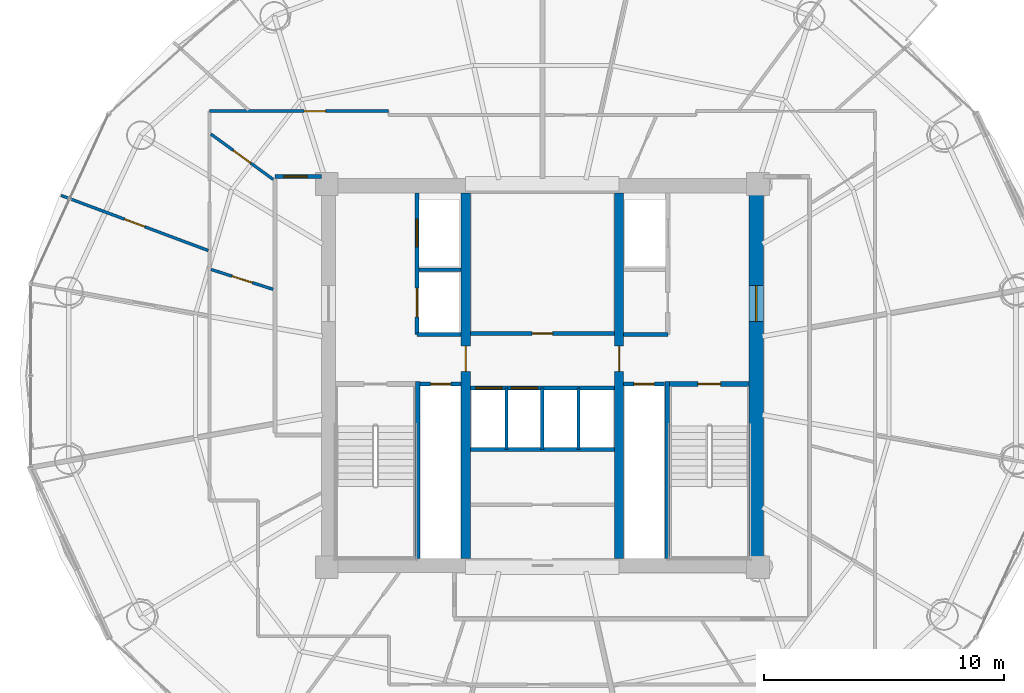
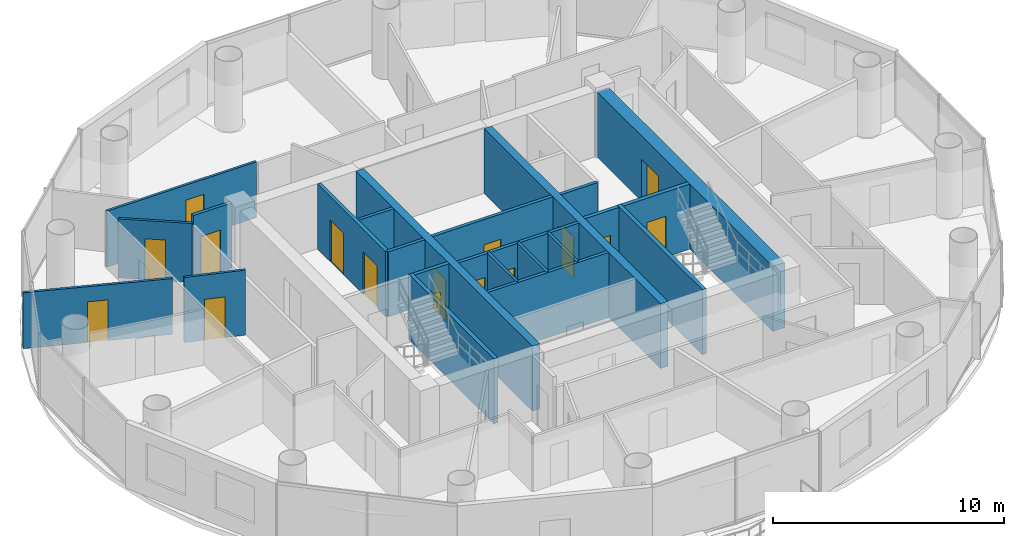
# One storey, part 21 of 27: 23 walls, 16 doors, 16 openings.
"""IFC4 building model written with IfcOpenShell, lengths in metres."""

from ifc_helpers import new_model, si_unit, direction, frame, frame_2d, origin, place, context, subcontext, project, spatial, rectangle, extrude, source, transform, mapped, material, layer, layer_set, type_object, element, fill, save


model = new_model("IFC4")

# Units and contexts
model_context = context("Model", 3, precision=1e-05, world=origin(), true_north=direction((-0.2419218956, 0.970295726276)))
body_context = subcontext(model_context, "Body", "Model", "MODEL_VIEW")
ifc_project = project(units=[si_unit("LENGTHUNIT", "METRE"), si_unit("AREAUNIT", "SQUARE_METRE"), si_unit("VOLUMEUNIT", "CUBIC_METRE"), si_unit("PLANEANGLEUNIT", "RADIAN"), si_unit("MASSUNIT", "GRAM", prefix="KILO")], contexts=[model_context])

# Site, building, storey
site_placement = place(None, origin())
site = spatial("IfcSite", under=ifc_project, at=site_placement, CompositionType="ELEMENT")
building_placement = place(site_placement, origin())
building = spatial("IfcBuilding", under=site, at=building_placement, Name="Cobrevalo Terracotta Tower", CompositionType="ELEMENT")
storey_placement = place(building_placement, frame((0.0, 0.0, 191.199951171875)))
storey = spatial("IfcBuildingStorey", under=building, at=storey_placement, Name="L50", CompositionType="ELEMENT", Elevation=191.199951171875)

# Wall, opening, door
ifc_material_1 = material(Name="Concrete C55", Category="concrete")
ifc_layer_1 = layer(ifc_material_1, 0.60009765625)
ifc_layer_set_1 = layer_set([ifc_layer_1], Name="Concrete C55")
wall_type_1 = type_object("IfcWallType", Name="Core shear wall 600 mm Concrete C55", PredefinedType="SHEAR", material=ifc_layer_set_1)
wall_1_placement = place(storey_placement, frame((46.925048828125, 19.175048828125, 0.0), z_axis=(0.0, 0.0, 1.0), x_axis=(0.0, 1.0, 0.0)))
wall_1 = element("IfcWall", 1, at=wall_1_placement, inside=storey, type_object=wall_type_1, Name="L50 east core shear wall", PredefinedType="SHEAR", context=body_context, shape_type="SweptSolid", body=[
    extrude(rectangle(XDim=15.25, YDim=0.60009765625, at=frame_2d((7.625, 0.0))), origin(), (0.0, 0.0, 1.0), 3.43505859375),
])
opening_1_placement = place(wall_1_placement, frame((9.875, 0.0, 0.0)))
opening_1 = element("IfcOpeningElement", 2, at=opening_1_placement, cuts=wall_1, Name="Opening ID-14", PredefinedType="OPENING", context=body_context, shape_type="SweptSolid", body=[
    extrude(rectangle(XDim=1.5, YDim=2.199951171875, at=frame_2d((0.75, 1.10009765625))), frame((0.0, 0.31005859375, 0.0), z_axis=(0.0, -1.0, 0.0), x_axis=(1.0, 0.0, 0.0)), (0.0, 0.0, 1.0), 0.6201171875),
])
ifc_material_2 = material(Name="Galvanized fire-rated steel", Category="steel")
door_type_1 = type_object("IfcDoorType", Name="Core cross-lobby double fire door 1500x2200 EI 90", OperationType="NOTDEFINED", PredefinedType="DOOR", material=ifc_material_2)
shared_shape_1 = source(origin(), body_context, "Body", "SweptSolid", [
    extrude(rectangle(XDim=1.5, YDim=2.199951171875, at=frame_2d((0.75, 1.10009765625))), frame((0.0, 0.02490234375, 0.0), z_axis=(0.0, -1.0, 0.0), x_axis=(1.0, 0.0, 0.0)), (0.0, 0.0, 1.0), 0.050048828125),
])
door_1_placement = place(opening_1_placement, frame((1.5, 0.0, 0.0), z_axis=(0.0, 0.0, 1.0), x_axis=(-1.0, 0.0, 0.0)))
door_1 = element("IfcDoor", 3, at=door_1_placement, inside=storey, type_object=door_type_1, Name="L50 east firefighting lobby entrance door", OperationType="DOUBLE_DOOR_SINGLE_SWING", OverallHeight=2.199951171875, OverallWidth=1.5, PredefinedType="DOOR", context=body_context, shape_type="MappedRepresentation", body=[
    mapped(shared_shape_1, transform((0.0, 0.0, 0.0), scale=1.0)),
])
fill(opening_1, door_1)

# Walls
ifc_material_3 = material(Name="Gypsum board on steel stud", Category="steel")
ifc_layer_2 = layer(ifc_material_3, 0.159912109375)
ifc_layer_set_2 = layer_set([ifc_layer_2], Name="Gypsum board on steel stud")
wall_type_2 = type_object("IfcWallType", Name="Fire-rated corridor acoustic partition wall 160 mm", PredefinedType="PARTITIONING", material=ifc_layer_set_2)
wall_2_placement = place(storey_placement, frame((32.860107421875, 31.219970703125, 0.0), z_axis=(0.0, 0.0, 1.0), x_axis=(1.0, 0.0, 0.0)))
element("IfcWall", 4, at=wall_2_placement, inside=storey, type_object=wall_type_2, Name="L50 interior partition IW-L50-FF1-M", PredefinedType="PARTITIONING", context=body_context, shape_type="SweptSolid", body=[
    extrude(rectangle(XDim=1.75, YDim=0.159912109375, at=frame_2d((0.875, 0.0))), origin(), (0.0, 0.0, 1.0), 3.43505859375),
])
for number, where, z_axis, x_axis, name in (
    (5, (32.77001953125, 28.52001953125, 0.0), (0.0, 0.0, 1.0), (1.0, 0.0, 0.0), "L50 interior partition IW-L50-FF1-S"),
    (6, (41.389892578125, 28.52001953125, 0.0), (0.0, 0.0, 1.0), (1.0, 0.0, 0.0), "L50 interior partition IW-L50-FF2-S"),
):
    element("IfcWall", number, at=place(storey_placement, frame(where, z_axis=z_axis, x_axis=x_axis)), inside=storey, type_object=wall_type_2, Name=name, PredefinedType="PARTITIONING", context=body_context, shape_type="SweptSolid", body=[
        extrude(rectangle(XDim=1.840087890625, YDim=0.159912109375, at=frame_2d((0.919921875, 0.0))), origin(), (0.0, 0.0, 1.0), 3.43505859375),
    ])

# Wall, opening, door
wall_3_placement = place(storey_placement, frame((34.989990234375, 28.56005859375, 0.0), z_axis=(0.0, 0.0, 1.0), x_axis=(1.0, 0.0, 0.0)))
wall_3 = element("IfcWall", 7, at=wall_3_placement, inside=storey, type_object=wall_type_2, Name="L50 interior partition IW-L50-LB-S", PredefinedType="PARTITIONING", context=body_context, shape_type="SweptSolid", body=[
    extrude(rectangle(XDim=6.02001953125, YDim=0.159912109375, at=frame_2d((3.010009765625, 0.0))), origin(), (0.0, 0.0, 1.0), 3.43505859375),
])
opening_2_placement = place(wall_3_placement, frame((2.5849609375, 0.0, 0.0)))
opening_2 = element("IfcOpeningElement", 8, at=opening_2_placement, cuts=wall_3, Name="Opening ID-22", PredefinedType="OPENING", context=body_context, shape_type="SweptSolid", body=[
    extrude(rectangle(XDim=0.85009765625, YDim=2.10009765625, at=frame_2d((0.425048828125, 1.050048828125))), frame((0.0, 0.08984375, 0.0), z_axis=(0.0, -1.0, 0.0), x_axis=(1.0, 0.0, 0.0)), (0.0, 0.0, 1.0), 0.179931640625),
])
ifc_material_4 = material(Name="Powder-coated steel", Category="steel")
door_type_2 = type_object("IfcDoorType", Name="Riser shaft & meter closet fire access door 850x2100 EI 60", OperationType="NOTDEFINED", PredefinedType="DOOR", material=ifc_material_4)
shared_shape_2 = source(origin(), body_context, "Body", "SweptSolid", [
    extrude(rectangle(XDim=0.85009765625, YDim=2.10009765625, at=frame_2d((0.425048828125, 1.050048828125))), frame((0.0, 0.02490234375, 0.0), z_axis=(0.0, -1.0, 0.0), x_axis=(1.0, 0.0, 0.0)), (0.0, 0.0, 1.0), 0.050048828125),
])
door_2_placement = place(opening_2_placement, origin())
door_2 = element("IfcDoor", 9, at=door_2_placement, inside=storey, type_object=door_type_2, Name="L50 core service door Floor Electrical Switchroom", OperationType="SINGLE_SWING_LEFT", OverallHeight=2.10009765625, OverallWidth=0.85009765625, PredefinedType="DOOR", context=body_context, shape_type="MappedRepresentation", body=[
    mapped(shared_shape_2, transform((0.0, 0.0, 0.0), scale=1.0)),
])
fill(opening_2, door_2)

# Wall, openings, doors
wall_4_placement = place(storey_placement, frame((34.989990234375, 26.280029296875, 0.0), z_axis=(0.0, 0.0, 1.0), x_axis=(1.0, 0.0, 0.0)))
wall_4 = element("IfcWall", 10, at=wall_4_placement, inside=storey, type_object=wall_type_2, Name="L50 interior partition IW-L50-MB-N", PredefinedType="PARTITIONING", context=body_context, shape_type="SweptSolid", body=[
    extrude(rectangle(XDim=6.02001953125, YDim=0.159912109375, at=frame_2d((3.010009765625, 0.0))), origin(), (0.0, 0.0, 1.0), 3.43505859375),
])
opening_3_placement = place(wall_4_placement, frame((0.22509765625, 0.0, 0.0)))
opening_3 = element("IfcOpeningElement", 11, at=opening_3_placement, cuts=wall_4, Name="Opening LD-01", PredefinedType="OPENING", context=body_context, shape_type="SweptSolid", body=[
    extrude(rectangle(XDim=1.10009765625, YDim=2.199951171875, at=frame_2d((0.550048828125, 1.10009765625))), frame((0.0, 0.08984375, 0.0), z_axis=(0.0, -1.0, 0.0), x_axis=(1.0, 0.0, 0.0)), (0.0, 0.0, 1.0), 0.179931640625),
])
opening_4_placement = place(wall_4_placement, frame((1.705078125, 0.0, 0.0)))
opening_4 = element("IfcOpeningElement", 12, at=opening_4_placement, cuts=wall_4, Name="Opening LD-01", PredefinedType="OPENING", context=body_context, shape_type="SweptSolid", body=[
    extrude(rectangle(XDim=1.10009765625, YDim=2.199951171875, at=frame_2d((0.550048828125, 1.10009765625))), frame((0.0, 0.08984375, 0.0), z_axis=(0.0, -1.0, 0.0), x_axis=(1.0, 0.0, 0.0)), (0.0, 0.0, 1.0), 0.179931640625),
])
ifc_material_5 = material(Name="Brushed stainless steel", Category="steel")
door_type_3 = type_object("IfcDoorType", Name="Passenger lift landing bi-parting sliding door 1100x2200 EI 90", OperationType="DOUBLE_DOOR_SLIDING", PredefinedType="DOOR", material=ifc_material_5)
shared_shape_3 = source(origin(), body_context, "Body", "SweptSolid", [
    extrude(rectangle(XDim=1.10009765625, YDim=2.199951171875, at=frame_2d((0.550048828125, 1.10009765625))), frame((0.0, 0.02490234375, 0.0), z_axis=(0.0, -1.0, 0.0), x_axis=(1.0, 0.0, 0.0)), (0.0, 0.0, 1.0), 0.050048828125),
])
door_3_placement = place(opening_3_placement, origin())
door_3 = element("IfcDoor", 13, at=door_3_placement, inside=storey, type_object=door_type_3, Name="L50 lift landing door PL-M1", OperationType="DOUBLE_DOOR_SLIDING", OverallHeight=2.199951171875, OverallWidth=1.10009765625, PredefinedType="DOOR", context=body_context, shape_type="MappedRepresentation", body=[
    mapped(shared_shape_3, transform((0.0, 0.0, 0.0), scale=1.0)),
])
fill(opening_3, door_3)
door_4_placement = place(opening_4_placement, origin())
door_4 = element("IfcDoor", 14, at=door_4_placement, inside=storey, type_object=door_type_3, Name="L50 lift landing door PL-M2", OperationType="DOUBLE_DOOR_SLIDING", OverallHeight=2.199951171875, OverallWidth=1.10009765625, PredefinedType="DOOR", context=body_context, shape_type="MappedRepresentation", body=[
    mapped(shared_shape_3, transform((0.0, 0.0, 0.0), scale=1.0)),
])
fill(opening_4, door_4)

# Wall
wall_5_placement = place(storey_placement, frame((34.989990234375, 23.719970703125, 0.0), z_axis=(0.0, 0.0, 1.0), x_axis=(1.0, 0.0, 0.0)))
element("IfcWall", 15, at=wall_5_placement, inside=storey, type_object=wall_type_2, Name="L50 interior partition IW-L50-MB-S", PredefinedType="PARTITIONING", context=body_context, shape_type="SweptSolid", body=[
    extrude(rectangle(XDim=6.02001953125, YDim=0.159912109375, at=frame_2d((3.010009765625, 0.0))), origin(), (0.0, 0.0, 1.0), 3.43505859375),
])

# Wall, opening, door
wall_6_placement = place(storey_placement, frame((26.844970703125, 35.10498046875, 0.0), z_axis=(0.0, 0.0, 1.0), x_axis=(1.0, 0.0, 0.0)))
wall_6 = element("IfcWall", 16, at=wall_6_placement, inside=storey, type_object=wall_type_2, Name="L50 interior partition IW-L50-COR-WN-CAP", PredefinedType="PARTITIONING", context=body_context, shape_type="SweptSolid", body=[
    extrude(rectangle(XDim=1.929931640625, YDim=0.159912109375, at=frame_2d((0.96484375, 0.0))), origin(), (0.0, 0.0, 1.0), 3.43505859375),
])
opening_5_placement = place(wall_6_placement, frame((0.3701171875, 0.0, 0.0)))
opening_5 = element("IfcOpeningElement", 17, at=opening_5_placement, cuts=wall_6, Name="Opening ID-05", PredefinedType="OPENING", context=body_context, shape_type="SweptSolid", body=[
    extrude(rectangle(XDim=0.97998046875, YDim=2.199951171875, at=frame_2d((0.489990234375, 1.10009765625))), frame((0.0, 0.08984375, 0.0), z_axis=(0.0, -1.0, 0.0), x_axis=(1.0, 0.0, 0.0)), (0.0, 0.0, 1.0), 0.179931640625),
])
ifc_material_6 = material(Name="Solid hardwood timber", Category="wood")
door_type_4 = type_object("IfcDoorType", Name="Residence entrance fire-rated acoustic timber door 980x2200 EI 60", OperationType="NOTDEFINED", PredefinedType="DOOR", material=ifc_material_6)
shared_shape_4 = source(origin(), body_context, "Body", "SweptSolid", [
    extrude(rectangle(XDim=0.97998046875, YDim=2.199951171875, at=frame_2d((0.489990234375, 1.10009765625))), frame((0.0, 0.02490234375, 0.0), z_axis=(0.0, -1.0, 0.0), x_axis=(1.0, 0.0, 0.0)), (0.0, 0.0, 1.0), 0.050048828125),
])
door_5_placement = place(opening_5_placement, origin())
door_5 = element("IfcDoor", 18, at=door_5_placement, inside=storey, type_object=door_type_4, Name="Flat L50B fire-rated apartment entrance door", OperationType="SINGLE_SWING_RIGHT", OverallHeight=2.199951171875, OverallWidth=0.97998046875, PredefinedType="DOOR", context=body_context, shape_type="MappedRepresentation", body=[
    mapped(shared_shape_4, transform((0.0, 0.0, 0.0), scale=1.0)),
])
fill(opening_5, door_5)

ifc_layer_3 = layer(ifc_material_3, 0.179931640625)
ifc_layer_set_3 = layer_set([ifc_layer_3], Name="Gypsum board on steel stud")
wall_type_3 = type_object("IfcWallType", Name="Fire-rated shaft & lobby acoustic partition wall 180 mm", PredefinedType="PARTITIONING", material=ifc_layer_set_3)
wall_7_placement = place(storey_placement, frame((32.89990234375, 26.449951171875, 0.0), z_axis=(0.0, 0.0, 1.0), x_axis=(1.0, 0.0, 0.0)))
wall_7 = element("IfcWall", 19, at=wall_7_placement, inside=storey, type_object=wall_type_3, Name="L50 interior partition IW-L50-RSW-N", PredefinedType="PARTITIONING", context=body_context, shape_type="SweptSolid", body=[
    extrude(rectangle(XDim=1.710205078125, YDim=0.179931640625, at=frame_2d((0.85498046875, 0.0))), origin(), (0.0, 0.0, 1.0), 3.43505859375),
])
opening_6_placement = place(wall_7_placement, frame((0.429931640625, 0.0, 0.0)))
opening_6 = element("IfcOpeningElement", 20, at=opening_6_placement, cuts=wall_7, Name="Opening ID-22", PredefinedType="OPENING", context=body_context, shape_type="SweptSolid", body=[
    extrude(rectangle(XDim=0.85009765625, YDim=2.10009765625, at=frame_2d((0.425048828125, 1.050048828125))), frame((0.0, 0.10009765625, 0.0), z_axis=(0.0, -1.0, 0.0), x_axis=(1.0, 0.0, 0.0)), (0.0, 0.0, 1.0), 0.199951171875),
])
door_6_placement = place(opening_6_placement, origin())
door_6 = element("IfcDoor", 21, at=door_6_placement, inside=storey, type_object=door_type_2, Name="L50 riser access door RSW", OperationType="SINGLE_SWING_LEFT", OverallHeight=2.10009765625, OverallWidth=0.85009765625, PredefinedType="DOOR", context=body_context, shape_type="MappedRepresentation", body=[
    mapped(shared_shape_2, transform((0.0, 0.0, 0.0), scale=1.0)),
])
fill(opening_6, door_6)

wall_8_placement = place(storey_placement, frame((41.389892578125, 26.449951171875, 0.0), z_axis=(0.0, 0.0, 1.0), x_axis=(1.0, 0.0, 0.0)))
wall_8 = element("IfcWall", 22, at=wall_8_placement, inside=storey, type_object=wall_type_3, Name="L50 interior partition IW-L50-RSE-N", PredefinedType="PARTITIONING", context=body_context, shape_type="SweptSolid", body=[
    extrude(rectangle(XDim=1.710205078125, YDim=0.179931640625, at=frame_2d((0.85498046875, 0.0))), origin(), (0.0, 0.0, 1.0), 3.43505859375),
])
opening_7_placement = place(wall_8_placement, frame((0.429931640625, 0.0, 0.0)))
opening_7 = element("IfcOpeningElement", 23, at=opening_7_placement, cuts=wall_8, Name="Opening ID-22", PredefinedType="OPENING", context=body_context, shape_type="SweptSolid", body=[
    extrude(rectangle(XDim=0.85009765625, YDim=2.10009765625, at=frame_2d((0.425048828125, 1.050048828125))), frame((0.0, 0.10009765625, 0.0), z_axis=(0.0, -1.0, 0.0), x_axis=(1.0, 0.0, 0.0)), (0.0, 0.0, 1.0), 0.199951171875),
])
door_7_placement = place(opening_7_placement, origin())
door_7 = element("IfcDoor", 24, at=door_7_placement, inside=storey, type_object=door_type_2, Name="L50 riser access door RSE", OperationType="SINGLE_SWING_RIGHT", OverallHeight=2.10009765625, OverallWidth=0.85009765625, PredefinedType="DOOR", context=body_context, shape_type="MappedRepresentation", body=[
    mapped(shared_shape_2, transform((0.0, 0.0, 0.0), scale=1.0)),
])
fill(opening_7, door_7)

# Wall, openings, doors
wall_9_placement = place(storey_placement, frame((32.77001953125, 28.52001953125, 0.0), z_axis=(0.0, 0.0, 1.0), x_axis=(0.0, 1.0, 0.0)))
wall_9 = element("IfcWall", 25, at=wall_9_placement, inside=storey, type_object=wall_type_3, Name="L50 interior partition IW-L50-FF1-W", PredefinedType="PARTITIONING", context=body_context, shape_type="SweptSolid", body=[
    extrude(rectangle(XDim=5.905029296875, YDim=0.179931640625, at=frame_2d((2.95263671875, 0.0))), origin(), (0.0, 0.0, 1.0), 3.43505859375),
])
opening_8_placement = place(wall_9_placement, frame((3.655029296875, 0.0, 0.0)))
opening_8 = element("IfcOpeningElement", 26, at=opening_8_placement, cuts=wall_9, Name="Opening LD-02", PredefinedType="OPENING", context=body_context, shape_type="SweptSolid", body=[
    extrude(rectangle(XDim=1.14990234375, YDim=2.199951171875, at=frame_2d((0.574951171875, 1.10009765625))), frame((0.0, 0.10009765625, 0.0), z_axis=(0.0, -1.0, 0.0), x_axis=(1.0, 0.0, 0.0)), (0.0, 0.0, 1.0), 0.199951171875),
])
opening_9_placement = place(wall_9_placement, frame((0.72998046875, 0.0, 0.0)))
opening_9 = element("IfcOpeningElement", 27, at=opening_9_placement, cuts=wall_9, Name="Opening LD-03", PredefinedType="OPENING", context=body_context, shape_type="SweptSolid", body=[
    extrude(rectangle(XDim=1.199951171875, YDim=2.25, at=frame_2d((0.60009765625, 1.125))), frame((0.0, 0.10009765625, 0.0), z_axis=(0.0, -1.0, 0.0), x_axis=(1.0, 0.0, 0.0)), (0.0, 0.0, 1.0), 0.199951171875),
])
door_type_5 = type_object("IfcDoorType", Name="Firefighting lift landing bi-parting sliding door 1150x2200 EI 120", OperationType="DOUBLE_DOOR_SLIDING", PredefinedType="DOOR", material=ifc_material_5)
shared_shape_5 = source(origin(), body_context, "Body", "SweptSolid", [
    extrude(rectangle(XDim=1.14990234375, YDim=2.199951171875, at=frame_2d((0.574951171875, 1.10009765625))), frame((0.0, 0.02490234375, 0.0), z_axis=(0.0, -1.0, 0.0), x_axis=(1.0, 0.0, 0.0)), (0.0, 0.0, 1.0), 0.050048828125),
])
door_8_placement = place(opening_8_placement, origin())
door_8 = element("IfcDoor", 28, at=door_8_placement, inside=storey, type_object=door_type_5, Name="L50 lift landing door FF-1", OperationType="DOUBLE_DOOR_SLIDING", OverallHeight=2.199951171875, OverallWidth=1.14990234375, PredefinedType="DOOR", context=body_context, shape_type="MappedRepresentation", body=[
    mapped(shared_shape_5, transform((0.0, 0.0, 0.0), scale=1.0)),
])
fill(opening_8, door_8)
door_type_6 = type_object("IfcDoorType", Name="Service lift landing bi-parting sliding door 1200x2250 EI 120", OperationType="DOUBLE_DOOR_SLIDING", PredefinedType="DOOR", material=ifc_material_5)
shared_shape_6 = source(origin(), body_context, "Body", "SweptSolid", [
    extrude(rectangle(XDim=1.199951171875, YDim=2.25, at=frame_2d((0.60009765625, 1.125))), frame((0.0, 0.02490234375, 0.0), z_axis=(0.0, -1.0, 0.0), x_axis=(1.0, 0.0, 0.0)), (0.0, 0.0, 1.0), 0.050048828125),
])
door_9_placement = place(opening_9_placement, origin())
door_9 = element("IfcDoor", 29, at=door_9_placement, inside=storey, type_object=door_type_6, Name="L50 lift landing door SV-1", OperationType="DOUBLE_DOOR_SLIDING", OverallHeight=2.25, OverallWidth=1.199951171875, PredefinedType="DOOR", context=body_context, shape_type="MappedRepresentation", body=[
    mapped(shared_shape_6, transform((0.0, 0.0, 0.0), scale=1.0)),
])
fill(opening_9, door_9)

# Walls
ifc_material_7 = material(Name="Autoclaved aerated concrete block", Category="concrete")
ifc_layer_4 = layer(ifc_material_7, 0.1201171875)
ifc_layer_set_4 = layer_set([ifc_layer_4], Name="Autoclaved aerated concrete block")
wall_type_4 = type_object("IfcWallType", Name="Fire-rated wet-room & core service partition 120 mm", PredefinedType="PARTITIONING", material=ifc_layer_set_4)
for number, where, z_axis, x_axis, name in (
    (30, (36.5, 23.719970703125, 0.0), (0.0, 0.0, 1.0), (0.0, 1.0, 0.0), "L50 interior partition IW-L50-MB-D1"),
    (31, (39.5, 23.719970703125, 0.0), (0.0, 0.0, 1.0), (0.0, 1.0, 0.0), "L50 interior partition IW-L50-MB-D3"),
):
    element("IfcWall", number, at=place(storey_placement, frame(where, z_axis=z_axis, x_axis=x_axis)), inside=storey, type_object=wall_type_4, Name=name, PredefinedType="PARTITIONING", context=body_context, shape_type="SweptSolid", body=[
        extrude(rectangle(XDim=2.56005859375, YDim=0.1201171875, at=frame_2d((1.280029296875, 0.0))), origin(), (0.0, 0.0, 1.0), 3.43505859375),
    ])

# Wall, opening, door
ifc_material_8 = material(Name="Concrete C50", Category="concrete")
ifc_layer_5 = layer(ifc_material_8, 0.3798828125)
ifc_layer_set_5 = layer_set([ifc_layer_5], Name="Concrete C50")
wall_type_5 = type_object("IfcWallType", Name="Internal core shear web wall 380 mm Concrete C50", PredefinedType="SHEAR", material=ifc_layer_set_5)
wall_10_placement = place(storey_placement, frame((34.800048828125, 19.175048828125, 0.0), z_axis=(0.0, 0.0, 1.0), x_axis=(0.0, 1.0, 0.0)))
wall_10 = element("IfcWall", 32, at=wall_10_placement, inside=storey, type_object=wall_type_5, Name="L50 internal core shear wall WEB-W", PredefinedType="SHEAR", context=body_context, shape_type="SweptSolid", body=[
    extrude(rectangle(XDim=15.25, YDim=0.3798828125, at=frame_2d((7.625, 0.0))), origin(), (0.0, 0.0, 1.0), 3.43505859375),
])
opening_10_placement = place(wall_10_placement, frame((7.800048828125, 0.0, 0.0)))
opening_10 = element("IfcOpeningElement", 33, at=opening_10_placement, cuts=wall_10, Name="Opening ID-11", PredefinedType="OPENING", context=body_context, shape_type="SweptSolid", body=[
    extrude(rectangle(XDim=1.050048828125, YDim=2.14990234375, at=frame_2d((0.52490234375, 1.074951171875))), frame((0.0, 0.199951171875, 0.0), z_axis=(0.0, -1.0, 0.0), x_axis=(1.0, 0.0, 0.0)), (0.0, 0.0, 1.0), 0.39990234375),
])
door_type_7 = type_object("IfcDoorType", Name="Core concourse cross fire door 1050x2150 EI 90", OperationType="NOTDEFINED", PredefinedType="DOOR", material=ifc_material_2)
shared_shape_7 = source(origin(), body_context, "Body", "SweptSolid", [
    extrude(rectangle(XDim=1.050048828125, YDim=2.14990234375, at=frame_2d((0.52490234375, 1.074951171875))), frame((0.0, 0.02490234375, 0.0), z_axis=(0.0, -1.0, 0.0), x_axis=(1.0, 0.0, 0.0)), (0.0, 0.0, 1.0), 0.050048828125),
])
door_10_placement = place(opening_10_placement, origin())
door_10 = element("IfcDoor", 34, at=door_10_placement, inside=storey, type_object=door_type_7, Name="L50 west core concourse cross door", OperationType="SINGLE_SWING_LEFT", OverallHeight=2.14990234375, OverallWidth=1.050048828125, PredefinedType="DOOR", context=body_context, shape_type="MappedRepresentation", body=[
    mapped(shared_shape_7, transform((0.0, 0.0, 0.0), scale=1.0)),
])
fill(opening_10, door_10)

wall_11_placement = place(storey_placement, frame((41.199951171875, 19.175048828125, 0.0), z_axis=(0.0, 0.0, 1.0), x_axis=(0.0, 1.0, 0.0)))
wall_11 = element("IfcWall", 35, at=wall_11_placement, inside=storey, type_object=wall_type_5, Name="L50 internal core shear wall WEB-E", PredefinedType="SHEAR", context=body_context, shape_type="SweptSolid", body=[
    extrude(rectangle(XDim=15.25, YDim=0.3798828125, at=frame_2d((7.625, 0.0))), origin(), (0.0, 0.0, 1.0), 3.43505859375),
])
opening_11_placement = place(wall_11_placement, frame((7.800048828125, 0.0, 0.0)))
opening_11 = element("IfcOpeningElement", 36, at=opening_11_placement, cuts=wall_11, Name="Opening ID-11", PredefinedType="OPENING", context=body_context, shape_type="SweptSolid", body=[
    extrude(rectangle(XDim=1.050048828125, YDim=2.14990234375, at=frame_2d((0.52490234375, 1.074951171875))), frame((0.0, 0.199951171875, 0.0), z_axis=(0.0, -1.0, 0.0), x_axis=(1.0, 0.0, 0.0)), (0.0, 0.0, 1.0), 0.39990234375),
])
door_11_placement = place(opening_11_placement, frame((1.050048828125, 0.0, 0.0), z_axis=(0.0, 0.0, 1.0), x_axis=(-1.0, 0.0, 0.0)))
door_11 = element("IfcDoor", 37, at=door_11_placement, inside=storey, type_object=door_type_7, Name="L50 east core concourse cross door", OperationType="SINGLE_SWING_RIGHT", OverallHeight=2.14990234375, OverallWidth=1.050048828125, PredefinedType="DOOR", context=body_context, shape_type="MappedRepresentation", body=[
    mapped(shared_shape_7, transform((0.0, 0.0, 0.0), scale=1.0)),
])
fill(opening_11, door_11)

# Wall
ifc_layer_6 = layer(ifc_material_7, 0.139892578125)
ifc_layer_set_6 = layer_set([ifc_layer_6], Name="Autoclaved aerated concrete block")
wall_type_6 = type_object("IfcWallType", Name="Moisture-resistant wet-room & core service partition 140 mm", PredefinedType="PARTITIONING", material=ifc_layer_set_6)
wall_12_placement = place(storey_placement, frame((38.0, 23.719970703125, 0.0), z_axis=(0.0, 0.0, 1.0), x_axis=(0.0, 1.0, 0.0)))
element("IfcWall", 38, at=wall_12_placement, inside=storey, type_object=wall_type_6, Name="L50 interior partition IW-L50-MB-D2", PredefinedType="PARTITIONING", context=body_context, shape_type="SweptSolid", body=[
    extrude(rectangle(XDim=2.56005859375, YDim=0.139892578125, at=frame_2d((1.280029296875, 0.0))), origin(), (0.0, 0.0, 1.0), 3.43505859375),
])

# Wall, opening, door
ifc_layer_7 = layer(ifc_material_3, 0.1201171875)
ifc_layer_set_7 = layer_set([ifc_layer_7], Name="Gypsum board on steel stud")
wall_type_7 = type_object("IfcWallType", Name="Residential internal acoustic stud partition 120 mm", PredefinedType="PARTITIONING", material=ifc_layer_set_7)
wall_13_placement = place(storey_placement, frame((24.114990234375, 37.8349609375, 0.0), z_axis=(0.0, 0.0, 1.0), x_axis=(1.0, 0.0, 0.0)))
wall_13 = element("IfcWall", 39, at=wall_13_placement, inside=storey, type_object=wall_type_7, Name="L50 interior partition IW-L50-U2-RING1_0", PredefinedType="PARTITIONING", context=body_context, shape_type="SweptSolid", body=[
    extrude(rectangle(XDim=7.469970703125, YDim=0.1201171875, at=frame_2d((3.73486328125, 0.0))), origin(), (0.0, 0.0, 1.0), 2.950927734375),
])
opening_12_placement = place(wall_13_placement, frame((3.94287109375, 0.0, 0.0)))
opening_12 = element("IfcOpeningElement", 40, at=opening_12_placement, cuts=wall_13, Name="Opening ID-12", PredefinedType="OPENING", context=body_context, shape_type="SweptSolid", body=[
    extrude(rectangle(XDim=0.89990234375, YDim=2.14990234375, at=frame_2d((0.449951171875, 1.074951171875))), frame((0.0, 0.070068359375, 0.0), z_axis=(0.0, -1.0, 0.0), x_axis=(1.0, 0.0, 0.0)), (0.0, 0.0, 1.0), 0.14013671875),
])
ifc_material_9 = material(Name="Engineered timber", Category="wood")
door_type_8 = type_object("IfcDoorType", Name="Internal residence & suite timber door 900x2150", OperationType="NOTDEFINED", PredefinedType="DOOR", material=ifc_material_9)
shared_shape_8 = source(origin(), body_context, "Body", "SweptSolid", [
    extrude(rectangle(XDim=0.89990234375, YDim=2.14990234375, at=frame_2d((0.449951171875, 1.074951171875))), frame((0.0, 0.02490234375, 0.0), z_axis=(0.0, -1.0, 0.0), x_axis=(1.0, 0.0, 0.0)), (0.0, 0.0, 1.0), 0.050048828125),
])
door_12_placement = place(opening_12_placement, origin())
door_12 = element("IfcDoor", 41, at=door_12_placement, inside=storey, type_object=door_type_8, Name="Flat L50B Penthouse Living and Dining Room internal door", OperationType="SINGLE_SWING_RIGHT", OverallHeight=2.14990234375, OverallWidth=0.89990234375, PredefinedType="DOOR", context=body_context, shape_type="MappedRepresentation", body=[
    mapped(shared_shape_8, transform((0.0, 0.0, 0.0), scale=1.0)),
])
fill(opening_12, door_12)

wall_14_placement = place(storey_placement, frame((24.056884765625, 32.01904296875, 0.0), z_axis=(0.0, 0.0, 1.0), x_axis=(-0.936540194592, 0.350560214389, 0.0)))
wall_14 = element("IfcWall", 42, at=wall_14_placement, inside=storey, type_object=wall_type_7, Name="L50 interior partition IW-L50-U2-ORAD2", PredefinedType="PARTITIONING", context=body_context, shape_type="SweptSolid", body=[
    extrude(rectangle(XDim=6.55615234375, YDim=0.1201171875, at=frame_2d((3.278076171875, 0.0))), origin(), (0.0, 0.0, 1.0), 2.950927734375),
])
opening_13_placement = place(wall_14_placement, frame((2.828125, 0.0, 0.0)))
opening_13 = element("IfcOpeningElement", 43, at=opening_13_placement, cuts=wall_14, Name="Opening ID-12", PredefinedType="OPENING", context=body_context, shape_type="SweptSolid", body=[
    extrude(rectangle(XDim=0.89990234375, YDim=2.14990234375, at=frame_2d((0.449951171875, 1.074951171875))), frame((0.0, 0.070068359375, 0.0), z_axis=(0.0, -1.0, 0.0), x_axis=(1.0, 0.0, 0.0)), (0.0, 0.0, 1.0), 0.14013671875),
])
door_13_placement = place(opening_13_placement, origin())
door_13 = element("IfcDoor", 44, at=door_13_placement, inside=storey, type_object=door_type_8, Name="Flat L50B Principal Guest Bedroom internal door", OperationType="SINGLE_SWING_RIGHT", OverallHeight=2.14990234375, OverallWidth=0.89990234375, PredefinedType="DOOR", context=body_context, shape_type="MappedRepresentation", body=[
    mapped(shared_shape_8, transform((0.0, 0.0, 0.0), scale=1.0)),
])
fill(opening_13, door_13)

wall_15_placement = place(storey_placement, frame((26.764892578125, 34.986083984375, 0.0), z_axis=(0.0, 0.0, 1.0), x_axis=(-0.808220499107, 0.588879974887, 0.0)))
wall_15 = element("IfcWall", 45, at=wall_15_placement, inside=storey, type_object=wall_type_7, Name="L50 interior partition IW-L50-U2-IRAD2", PredefinedType="PARTITIONING", context=body_context, shape_type="SweptSolid", body=[
    extrude(rectangle(XDim=3.216796875, YDim=0.1201171875, at=frame_2d((1.6083984375, 0.0))), origin(), (0.0, 0.0, 1.0), 3.110107421875),
])
opening_14_placement = place(wall_15_placement, frame((1.158447265625, 0.0, 0.0)))
opening_14 = element("IfcOpeningElement", 46, at=opening_14_placement, cuts=wall_15, Name="Opening ID-12", PredefinedType="OPENING", context=body_context, shape_type="SweptSolid", body=[
    extrude(rectangle(XDim=0.89990234375, YDim=2.14990234375, at=frame_2d((0.449951171875, 1.074951171875))), frame((0.0, 0.070068359375, 0.0), z_axis=(0.0, -1.0, 0.0), x_axis=(1.0, 0.0, 0.0)), (0.0, 0.0, 1.0), 0.14013671875),
])
door_14_placement = place(opening_14_placement, origin())
door_14 = element("IfcDoor", 47, at=door_14_placement, inside=storey, type_object=door_type_8, Name="Flat L50B Kitchen internal door", OperationType="SINGLE_SWING_LEFT", OverallHeight=2.14990234375, OverallWidth=0.89990234375, PredefinedType="DOOR", context=body_context, shape_type="MappedRepresentation", body=[
    mapped(shared_shape_8, transform((0.0, 0.0, 0.0), scale=1.0)),
])
fill(opening_14, door_14)

wall_16_placement = place(storey_placement, frame((26.764892578125, 30.399658203125, 0.0), z_axis=(0.0, 0.0, 1.0), x_axis=(-0.952315722301, 0.305114347514, 0.0)))
wall_16 = element("IfcWall", 48, at=wall_16_placement, inside=storey, type_object=wall_type_7, Name="L50 interior partition IW-L50-U2-IRAD3", PredefinedType="PARTITIONING", context=body_context, shape_type="SweptSolid", body=[
    extrude(rectangle(XDim=2.720458984375, YDim=0.1201171875, at=frame_2d((1.3603515625, 0.0))), origin(), (0.0, 0.0, 1.0), 3.43505859375),
])
opening_15_placement = place(wall_16_placement, frame((0.910400390625, 0.0, 0.0)))
opening_15 = element("IfcOpeningElement", 49, at=opening_15_placement, cuts=wall_16, Name="Opening ID-12", PredefinedType="OPENING", context=body_context, shape_type="SweptSolid", body=[
    extrude(rectangle(XDim=0.89990234375, YDim=2.14990234375, at=frame_2d((0.449951171875, 1.074951171875))), frame((0.0, 0.070068359375, 0.0), z_axis=(0.0, -1.0, 0.0), x_axis=(1.0, 0.0, 0.0)), (0.0, 0.0, 1.0), 0.14013671875),
])
door_15_placement = place(opening_15_placement, origin())
door_15 = element("IfcDoor", 50, at=door_15_placement, inside=storey, type_object=door_type_8, Name="Flat L50B Home Office Study internal door", OperationType="SINGLE_SWING_RIGHT", OverallHeight=2.14990234375, OverallWidth=0.89990234375, PredefinedType="DOOR", context=body_context, shape_type="MappedRepresentation", body=[
    mapped(shared_shape_8, transform((0.0, 0.0, 0.0), scale=1.0)),
])
fill(opening_15, door_15)

# Walls
ifc_layer_8 = layer(ifc_material_8, 0.199951171875)
ifc_layer_set_8 = layer_set([ifc_layer_8], Name="Concrete C50")
wall_type_8 = type_object("IfcWallType", Name="Structural core & podium stair-shaft RC wall 200 mm Concrete C50", PredefinedType="SOLIDWALL", material=ifc_layer_set_8)
for number, where, z_axis, x_axis, name in (
    (51, (32.794921875, 19.175048828125, 0.0), (0.0, 0.0, 1.0), (0.0, 1.0, 0.0), "L50 ST-1 east structural shaft wall"),
    (52, (43.205078125, 19.175048828125, 0.0), (0.0, 0.0, 1.0), (0.0, 1.0, 0.0), "L50 ST-2 west structural shaft wall"),
):
    element("IfcWall", number, at=place(storey_placement, frame(where, z_axis=z_axis, x_axis=x_axis)), inside=storey, type_object=wall_type_8, Name=name, PredefinedType="SOLIDWALL", context=body_context, shape_type="SweptSolid", body=[
        extrude(rectangle(XDim=7.375, YDim=0.199951171875, at=frame_2d((3.6875, 0.0))), origin(), (0.0, 0.0, 1.0), 3.43505859375),
    ])

# Wall, opening, door
wall_17_placement = place(storey_placement, frame((43.304931640625, 26.449951171875, 0.0), z_axis=(0.0, 0.0, 1.0), x_axis=(1.0, 0.0, 0.0)))
wall_17 = element("IfcWall", 53, at=wall_17_placement, inside=storey, type_object=wall_type_8, Name="L50 ST-2 north structural shaft wall", PredefinedType="SOLIDWALL", context=body_context, shape_type="SweptSolid", body=[
    extrude(rectangle(XDim=3.320068359375, YDim=0.199951171875, at=frame_2d((1.66015625, 0.0))), origin(), (0.0, 0.0, 1.0), 3.43505859375),
])
opening_16_placement = place(wall_17_placement, frame((1.18505859375, 0.0, 0.0)))
opening_16 = element("IfcOpeningElement", 54, at=opening_16_placement, cuts=wall_17, Name="Opening ID-04", PredefinedType="OPENING", context=body_context, shape_type="SweptSolid", body=[
    extrude(rectangle(XDim=0.949951171875, YDim=2.14990234375, at=frame_2d((0.47509765625, 1.074951171875))), frame((0.0, 0.10986328125, 0.0), z_axis=(0.0, -1.0, 0.0), x_axis=(1.0, 0.0, 0.0)), (0.0, 0.0, 1.0), 0.219970703125),
])
door_type_9 = type_object("IfcDoorType", Name="Stair & firefighting lobby fire door 950x2150 EI 90", OperationType="NOTDEFINED", PredefinedType="DOOR", material=ifc_material_2)
shared_shape_9 = source(origin(), body_context, "Body", "SweptSolid", [
    extrude(rectangle(XDim=0.949951171875, YDim=2.14990234375, at=frame_2d((0.47509765625, 1.074951171875))), frame((0.0, 0.02490234375, 0.0), z_axis=(0.0, -1.0, 0.0), x_axis=(1.0, 0.0, 0.0)), (0.0, 0.0, 1.0), 0.050048828125),
])
door_16_placement = place(opening_16_placement, frame((0.949951171875, 0.0, 0.0), z_axis=(0.0, 0.0, 1.0), x_axis=(-1.0, 0.0, 0.0)))
door_16 = element("IfcDoor", 55, at=door_16_placement, inside=storey, type_object=door_type_9, Name="L50 protected stair ST2 fire door", OperationType="SINGLE_SWING_RIGHT", OverallHeight=2.14990234375, OverallWidth=0.949951171875, PredefinedType="DOOR", context=body_context, shape_type="MappedRepresentation", body=[
    mapped(shared_shape_9, transform((0.0, 0.0, 0.0), scale=1.0)),
])
fill(opening_16, door_16)

save(model, "model.ifc")
